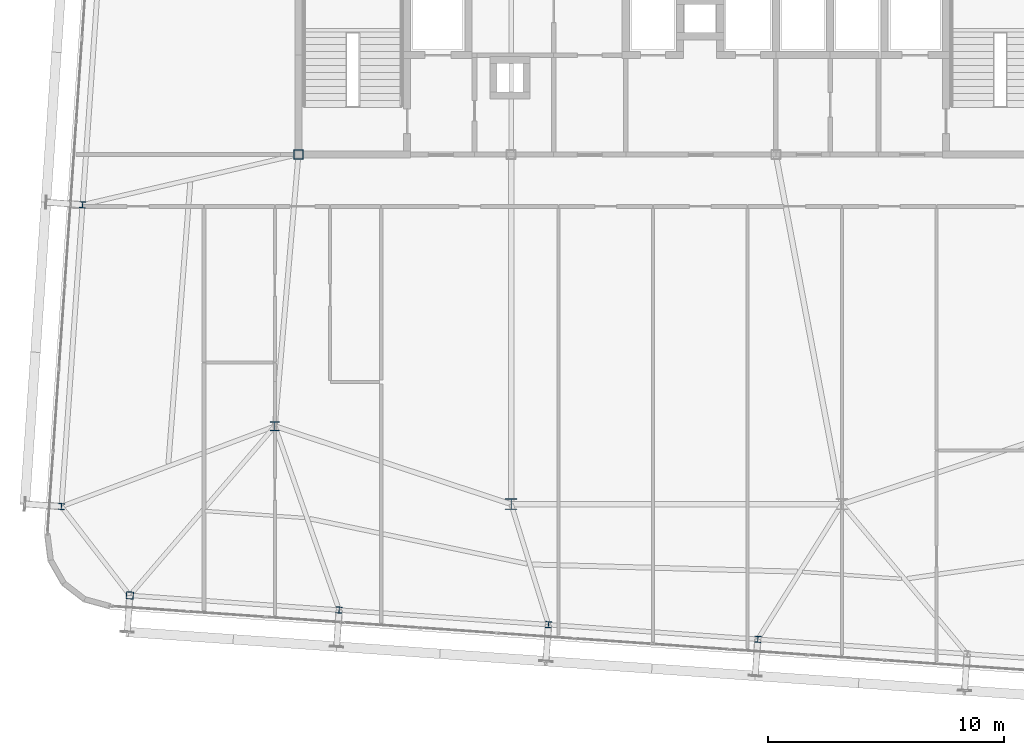
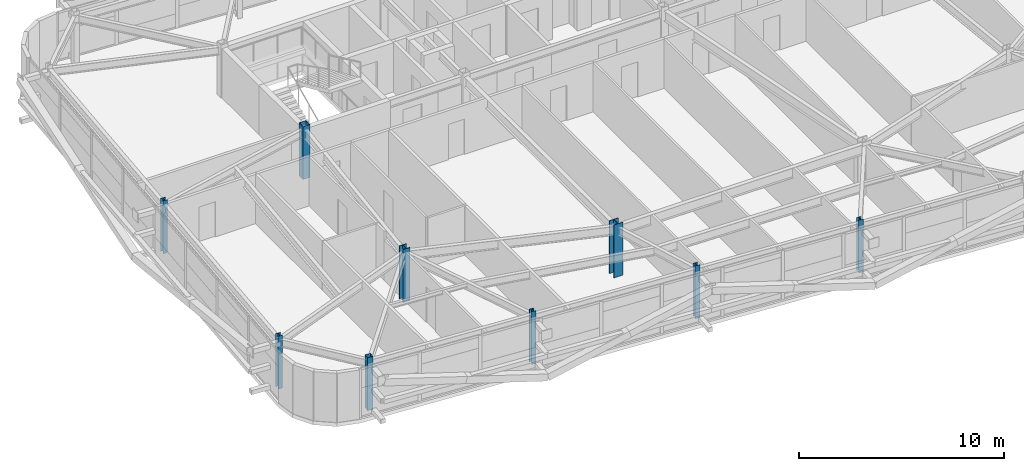
# One storey, part 1 of 47: 9 columns.
"""IFC4 building model written with IfcOpenShell, lengths in metres."""

from ifc_helpers import new_model, si_unit, direction, frame, origin, origin_2d, place, context, subcontext, project, spatial, hollow_rectangle, i_section, extrude, source, transform, mapped, material, material_profile, profile_set, type_object, element, save


model = new_model("IFC4")

# Units and contexts
model_context = context("Model", 3, precision=1e-05, world=origin(), true_north=direction((0.0, 1.0)))
body_context = subcontext(model_context, "Body", "Model", "MODEL_VIEW")
ifc_project = project(units=[si_unit("LENGTHUNIT", "METRE"), si_unit("AREAUNIT", "SQUARE_METRE"), si_unit("VOLUMEUNIT", "CUBIC_METRE"), si_unit("PLANEANGLEUNIT", "RADIAN"), si_unit("MASSUNIT", "GRAM", prefix="KILO")], contexts=[model_context])

# Site, building, storey
site_placement = place(None, origin())
site = spatial("IfcSite", under=ifc_project, at=site_placement, CompositionType="ELEMENT")
building_placement = place(site_placement, origin())
building = spatial("IfcBuilding", under=site, at=building_placement, Name="Taldren Reach Tower", CompositionType="ELEMENT")
storey_placement = place(building_placement, frame((0.0, 0.0, 142.449951171875)))
storey = spatial("IfcBuildingStorey", under=building, at=storey_placement, Name="L43", CompositionType="ELEMENT", Elevation=142.449951171875)

# Columns
ifc_material_1 = material(Name="Steel Gr 350 (350PLUS)", Category="steel")
ifc_material_profile_1 = material_profile(ifc_material_1, i_section(OverallWidth=0.39990234375, OverallDepth=0.39599609375, WebThickness=0.02197265625, FlangeThickness=0.033935546875, at=origin_2d()), Name="400WC270")
ifc_profile_set_1 = profile_set([ifc_material_profile_1], Name="Steel Gr 350 (350PLUS)")
column_type_1 = type_object("IfcColumnType", Name="COL-WC400", PredefinedType="COLUMN", material=ifc_profile_set_1)
shared_shape_1 = source(origin(), body_context, "Body", "SweptSolid", [
    extrude(i_section(OverallWidth=0.39990234375, OverallDepth=0.39599609375, WebThickness=0.02197265625, FlangeThickness=0.033935546875, at=origin_2d()), origin(), (0.0, 0.0, 1.0), 3.150146484375),
])
column_1_placement = place(storey_placement, frame((18.0, 12.5, 0.0), z_axis=(0.0, 0.0, 1.0), x_axis=(1.0, 0.0, 0.0)))
element("IfcColumn", 1, at=column_1_placement, inside=storey, type_object=column_type_1, Name="Mega column MC-SW L43", PredefinedType="COLUMN", context=body_context, shape_type="MappedRepresentation", body=[
    mapped(shared_shape_1, transform((0.0, 0.0, 0.0), scale=1.0)),
])
ifc_material_profile_2 = material_profile(ifc_material_1, i_section(OverallWidth=0.5, OverallDepth=0.464111328125, WebThickness=0.02197265625, FlangeThickness=0.033935546875, at=origin_2d()), Name="500WC340")
ifc_profile_set_2 = profile_set([ifc_material_profile_2], Name="Steel Gr 350 (350PLUS)")
column_type_2 = type_object("IfcColumnType", Name="COL-WC500B", PredefinedType="COLUMN", material=ifc_profile_set_2)
shared_shape_2 = source(origin(), body_context, "Body", "SweptSolid", [
    extrude(i_section(OverallWidth=0.5, OverallDepth=0.464111328125, WebThickness=0.02197265625, FlangeThickness=0.033935546875, at=origin_2d()), origin(), (0.0, 0.0, 1.0), 3.150146484375),
])
column_2_placement = place(storey_placement, frame((28.0, 9.199951171875, 0.0), z_axis=(0.0, 0.0, 1.0), x_axis=(1.0, 0.0, 0.0)))
element("IfcColumn", 2, at=column_2_placement, inside=storey, type_object=column_type_2, Name="Mega column MC-PJW L43", PredefinedType="COLUMN", context=body_context, shape_type="MappedRepresentation", body=[
    mapped(shared_shape_2, transform((0.0, 0.0, 0.0), scale=1.0)),
])
ifc_material_2 = material(Name="Steel Gr 450 (C450L0)", Category="steel")
ifc_material_profile_3 = material_profile(ifc_material_2, hollow_rectangle(XDim=0.39990234375, YDim=0.39990234375, WallThickness=0.01611328125, at=origin_2d()), Name="400x400x16.0SHS")
ifc_profile_set_3 = profile_set([ifc_material_profile_3], Name="Steel Gr 450 (C450L0)")
column_type_3 = type_object("IfcColumnType", Name="COL-SHS400", PredefinedType="COLUMN", material=ifc_profile_set_3)
shared_shape_3 = source(origin(), body_context, "Body", "SweptSolid", [
    extrude(hollow_rectangle(XDim=0.39990234375, YDim=0.39990234375, WallThickness=0.01611328125, at=origin_2d()), origin(), (0.0, 0.0, 1.0), 3.150146484375),
])
column_3_placement = place(storey_placement, frame((19.0, 24.0, 0.0), z_axis=(0.0, 0.0, 1.0), x_axis=(1.0, 0.0, 0.0)))
element("IfcColumn", 3, at=column_3_placement, inside=storey, type_object=column_type_3, Name="Mega column MC-C1 L43", PredefinedType="COLUMN", context=body_context, shape_type="MappedRepresentation", body=[
    mapped(shared_shape_3, transform((0.0, 0.0, 0.0), scale=1.0)),
])
ifc_material_profile_4 = material_profile(ifc_material_2, hollow_rectangle(XDim=0.300048828125, YDim=0.300048828125, WallThickness=0.012451171875, at=origin_2d()), Name="300x300x12.5SHS")
ifc_profile_set_4 = profile_set([ifc_material_profile_4], Name="Steel Gr 450 (C450L0)")
column_type_4 = type_object("IfcColumnType", Name="COL-SHS300", PredefinedType="COLUMN", material=ifc_profile_set_4)
shared_shape_4 = source(origin(), body_context, "Body", "SweptSolid", [
    extrude(hollow_rectangle(XDim=0.300048828125, YDim=0.300048828125, WallThickness=0.012451171875, at=origin_2d()), origin(), (0.0, 0.0, 1.0), 3.150146484375),
])
column_4_placement = place(storey_placement, frame((11.863525390625, 5.33837890625, 0.0), z_axis=(0.0, 0.0, 1.0), x_axis=(0.99756405026, -0.069756473744, 0.0)))
element("IfcColumn", 4, at=column_4_placement, inside=storey, type_object=column_type_4, Name="Block B3 perimeter column S1 L43", PredefinedType="COLUMN", context=body_context, shape_type="MappedRepresentation", body=[
    mapped(shared_shape_4, transform((0.0, 0.0, 0.0), scale=1.0)),
])
ifc_material_profile_5 = material_profile(ifc_material_1, i_section(OverallWidth=0.256103515625, OverallDepth=0.260009765625, WebThickness=0.010498046875, FlangeThickness=0.017333984375, at=origin_2d()), Name="250UC89.5")
ifc_profile_set_5 = profile_set([ifc_material_profile_5], Name="Steel Gr 350 (350PLUS)")
column_type_5 = type_object("IfcColumnType", Name="COL-UC250", PredefinedType="COLUMN", material=ifc_profile_set_5)
shared_shape_5 = source(origin(), body_context, "Body", "SweptSolid", [
    extrude(i_section(OverallWidth=0.256103515625, OverallDepth=0.260009765625, WebThickness=0.010498046875, FlangeThickness=0.017333984375, at=origin_2d()), origin(), (0.0, 0.0, 1.0), 3.150146484375),
])
for number, where, z_axis, x_axis, name in (
    (5, (20.721923828125, 4.718994140625, 0.0), (0.0, 0.0, 1.0), (0.99756405026, -0.069756473744, 0.0), "Block B3 perimeter column S2 L43"),
    (6, (29.580322265625, 4.099609375, 0.0), (0.0, 0.0, 1.0), (0.99756405026, -0.069756473744, 0.0), "Block B3 perimeter column S3 L43"),
    (7, (38.438720703125, 3.480224609375, 0.0), (0.0, 0.0, 1.0), (0.99756405026, -0.069756473744, 0.0), "Block B3 perimeter column S4 L43"),
    (8, (8.96875, 9.099609375, 0.0), (0.0, 0.0, 1.0), (0.99756405026, -0.069756473744, 0.0), "Block B3 perimeter column W1 L43"),
    (9, (9.86181640625, 21.868408203125, 0.0), (0.0, 0.0, 1.0), (0.99756405026, -0.069756473744, 0.0), "Block B3 perimeter column W2 L43"),
):
    element("IfcColumn", number, at=place(storey_placement, frame(where, z_axis=z_axis, x_axis=x_axis)), inside=storey, type_object=column_type_5, Name=name, PredefinedType="COLUMN", context=body_context, shape_type="MappedRepresentation", body=[
        mapped(shared_shape_5, transform((0.0, 0.0, 0.0), scale=1.0)),
    ])

save(model, "model.ifc")
